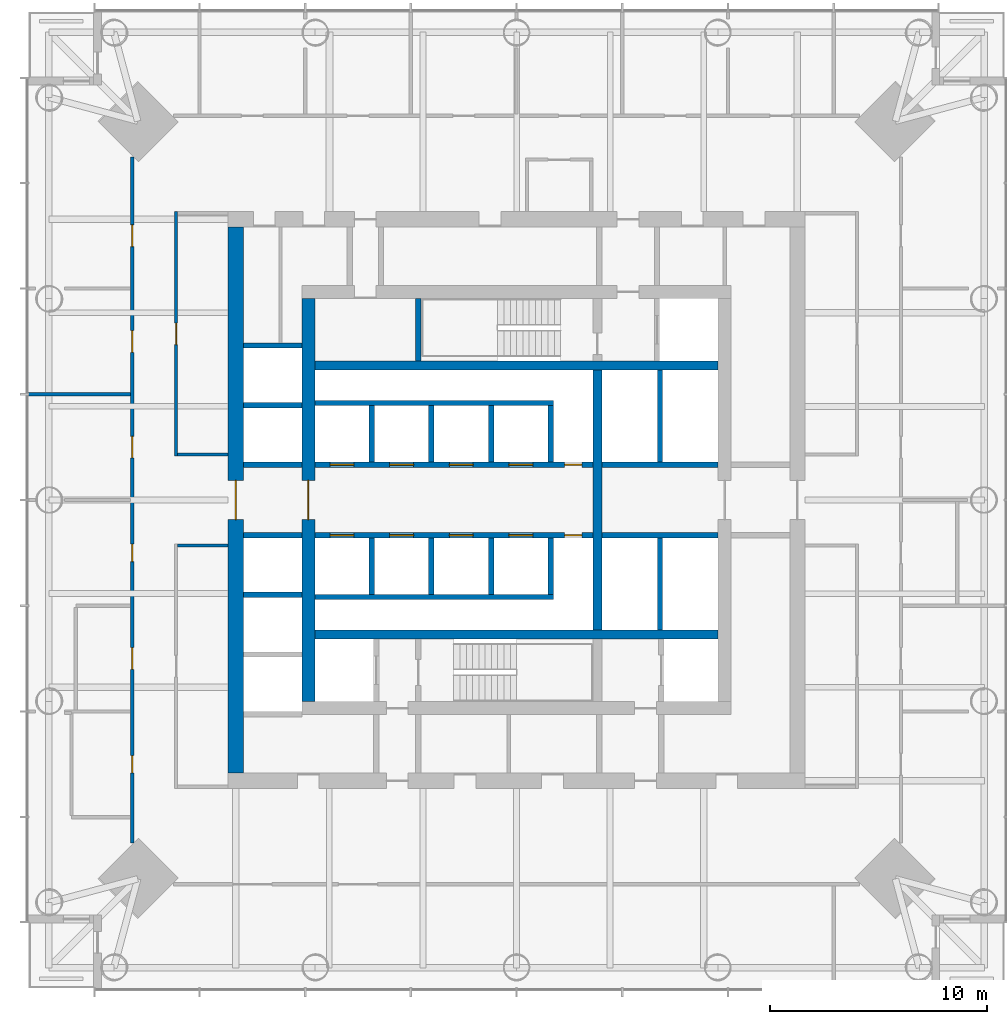
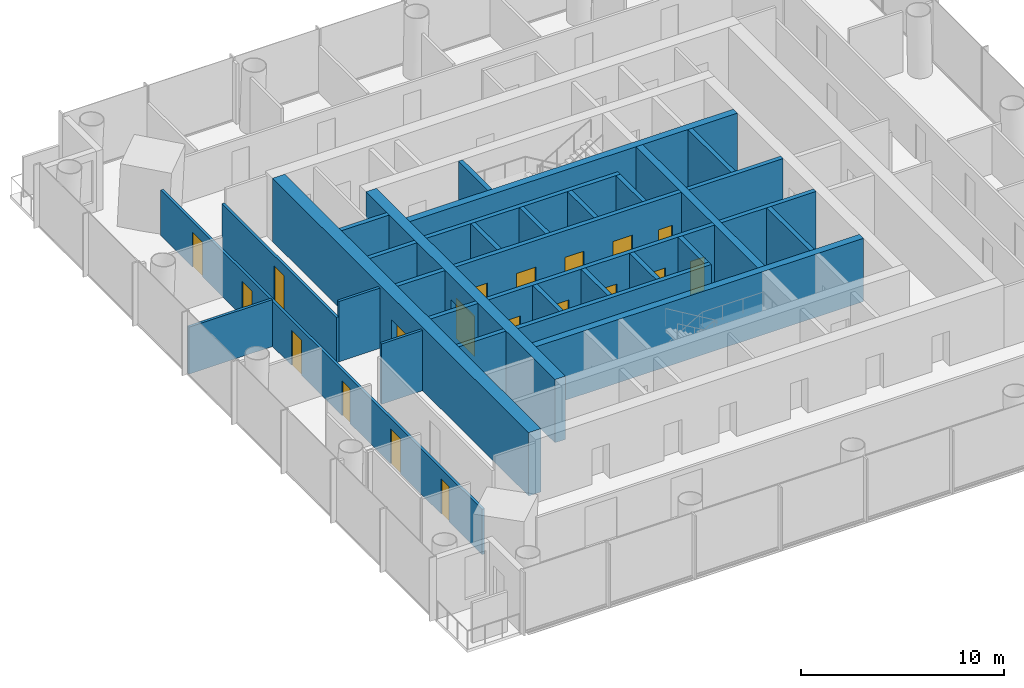
# One storey, part 9 of 18: 32 walls, 19 doors, 19 openings.
"""IFC4 building model written with IfcOpenShell, lengths in metres."""

from ifc_helpers import new_model, si_unit, direction, frame, frame_2d, origin, place, context, subcontext, project, spatial, rectangle, extrude, material, layer, layer_set, type_object, element, fill, save


model = new_model("IFC4")

# Units and contexts
model_context = context("Model", 3, precision=1e-05, world=origin(), true_north=direction((0.0, 1.0)))
body_context = subcontext(model_context, "Body", "Model", "MODEL_VIEW")
ifc_project = project(units=[si_unit("LENGTHUNIT", "METRE"), si_unit("AREAUNIT", "SQUARE_METRE"), si_unit("VOLUMEUNIT", "CUBIC_METRE"), si_unit("PLANEANGLEUNIT", "RADIAN"), si_unit("MASSUNIT", "GRAM", prefix="KILO")], contexts=[model_context])

# Site, building, storey
site_placement = place(None, origin())
site = spatial("IfcSite", under=ifc_project, at=site_placement, CompositionType="ELEMENT")
building_placement = place(site_placement, origin())
building = spatial("IfcBuilding", under=site, at=building_placement, Name="Ostroluk Exchange", CompositionType="ELEMENT")
storey_placement = place(building_placement, frame((0.0, 0.0, 97.0)))
storey = spatial("IfcBuildingStorey", under=building, at=storey_placement, Name="L24", CompositionType="ELEMENT", Elevation=97.0)

# Walls
ifc_material_1 = material(Name="Concrete C50/60", Category="concrete")
ifc_layer_1 = layer(ifc_material_1, 0.39990234375)
ifc_layer_set_1 = layer_set([ifc_layer_1], Name="Core cross wall 400 C50/60")
wall_type_1 = type_object("IfcWallType", Name="Core cross wall 400 C50/60", PredefinedType="SHEAR", material=ifc_layer_set_1)
for number, where, z_axis, x_axis, name in (
    (1, (35.699951171875, 39.800048828125, 0.0), (0.0, 0.0, 1.0), (1.0, 0.0, 0.0), "T1 core wall XS"),
    (2, (35.699951171875, 52.199951171875, 0.0), (0.0, 0.0, 1.0), (1.0, 0.0, 0.0), "T1 core wall XN"),
):
    element("IfcWall", number, at=place(storey_placement, frame(where, z_axis=z_axis, x_axis=x_axis)), inside=storey, type_object=wall_type_1, Name=name, PredefinedType="SHEAR", context=body_context, shape_type="SweptSolid", body=[
        extrude(rectangle(XDim=18.60009765625, YDim=0.39990234375, at=frame_2d((9.300048828125, 0.0))), origin(), (0.0, 0.0, 1.0), 3.800048828125),
    ])
wall_1_placement = place(storey_placement, frame((48.72998046875, 40.0, 0.0), z_axis=(0.0, 0.0, 1.0), x_axis=(0.0, 1.0, 0.0)))
element("IfcWall", 3, at=wall_1_placement, inside=storey, type_object=wall_type_1, Name="T1 core wall YE2", PredefinedType="SHEAR", context=body_context, shape_type="SweptSolid", body=[
    extrude(rectangle(XDim=12.0, YDim=0.39990234375, at=frame_2d((6.0, 0.0))), origin(), (0.0, 0.0, 1.0), 3.800048828125),
])
ifc_material_2 = material(Name="Concrete C40/50", Category="concrete")
ifc_layer_2 = layer(ifc_material_2, 0.25)
ifc_layer_set_2 = layer_set([ifc_layer_2], Name="Core shaft wall 250")
wall_type_2 = type_object("IfcWallType", Name="Core shaft wall 250", PredefinedType="SHEAR", material=ifc_layer_set_2)
wall_2_placement = place(storey_placement, frame((40.47509765625, 52.39990234375, 0.0), z_axis=(0.0, 0.0, 1.0), x_axis=(0.0, 1.0, 0.0)))
element("IfcWall", 4, at=wall_2_placement, inside=storey, type_object=wall_type_2, Name="Stair shaft wall", PredefinedType="SHEAR", context=body_context, shape_type="SweptSolid", body=[
    extrude(rectangle(XDim=2.900146484375, YDim=0.25, at=frame_2d((1.4501953125, 0.0))), origin(), (0.0, 0.0, 1.0), 3.800048828125),
])
for number, where, z_axis, x_axis, name in (
    (5, (38.324951171875, 47.75, 0.0), (0.0, 0.0, 1.0), (0.0, 1.0, 0.0), "Lift shaft wall"),
    (6, (41.074951171875, 47.75, 0.0), (0.0, 0.0, 1.0), (0.0, 1.0, 0.0), "Lift shaft wall"),
    (7, (43.824951171875, 47.75, 0.0), (0.0, 0.0, 1.0), (0.0, 1.0, 0.0), "Lift shaft wall"),
    (8, (46.574951171875, 47.75, 0.0), (0.0, 0.0, 1.0), (0.0, 1.0, 0.0), "Lift shaft wall"),
):
    element("IfcWall", number, at=place(storey_placement, frame(where, z_axis=z_axis, x_axis=x_axis)), inside=storey, type_object=wall_type_2, Name=name, PredefinedType="SHEAR", context=body_context, shape_type="SweptSolid", body=[
        extrude(rectangle(XDim=2.60009765625, YDim=0.25, at=frame_2d((1.300048828125, 0.0))), origin(), (0.0, 0.0, 1.0), 3.800048828125),
    ])
wall_3_placement = place(storey_placement, frame((35.699951171875, 50.47509765625, 0.0), z_axis=(0.0, 0.0, 1.0), x_axis=(1.0, 0.0, 0.0)))
element("IfcWall", 9, at=wall_3_placement, inside=storey, type_object=wall_type_2, Name="Lift shaft wall", PredefinedType="SHEAR", context=body_context, shape_type="SweptSolid", body=[
    extrude(rectangle(XDim=11.0, YDim=0.25, at=frame_2d((5.5, 0.0))), origin(), (0.0, 0.0, 1.0), 3.800048828125),
])

# Wall, openings, doors
wall_4_placement = place(storey_placement, frame((35.699951171875, 47.625, 0.0), z_axis=(0.0, 0.0, 1.0), x_axis=(1.0, 0.0, 0.0)))
wall_4 = element("IfcWall", 10, at=wall_4_placement, inside=storey, type_object=wall_type_2, Name="Lift shaft front wall", PredefinedType="SHEAR", context=body_context, shape_type="SweptSolid", body=[
    extrude(rectangle(XDim=12.830078125, YDim=0.25, at=frame_2d((6.4150390625, 0.0))), origin(), (0.0, 0.0, 1.0), 3.800048828125),
])
opening_1_placement = place(wall_4_placement, frame((0.699951171875, 0.0, 0.0)))
opening_1 = element("IfcOpeningElement", 11, at=opening_1_placement, cuts=wall_4, Name="Opening LD", PredefinedType="OPENING", context=body_context, shape_type="SweptSolid", body=[
    extrude(rectangle(XDim=1.10009765625, YDim=2.199951171875, at=frame_2d((0.550048828125, 1.10009765625))), frame((0.0, 0.135009765625, 0.0), z_axis=(0.0, -1.0, 0.0), x_axis=(1.0, 0.0, 0.0)), (0.0, 0.0, 1.0), 0.27001953125),
])
opening_2_placement = place(wall_4_placement, frame((3.449951171875, 0.0, 0.0)))
opening_2 = element("IfcOpeningElement", 12, at=opening_2_placement, cuts=wall_4, Name="Opening LD", PredefinedType="OPENING", context=body_context, shape_type="SweptSolid", body=[
    extrude(rectangle(XDim=1.10009765625, YDim=2.199951171875, at=frame_2d((0.550048828125, 1.10009765625))), frame((0.0, 0.135009765625, 0.0), z_axis=(0.0, -1.0, 0.0), x_axis=(1.0, 0.0, 0.0)), (0.0, 0.0, 1.0), 0.27001953125),
])
opening_3_placement = place(wall_4_placement, frame((6.199951171875, 0.0, 0.0)))
opening_3 = element("IfcOpeningElement", 13, at=opening_3_placement, cuts=wall_4, Name="Opening LD", PredefinedType="OPENING", context=body_context, shape_type="SweptSolid", body=[
    extrude(rectangle(XDim=1.10009765625, YDim=2.199951171875, at=frame_2d((0.550048828125, 1.10009765625))), frame((0.0, 0.135009765625, 0.0), z_axis=(0.0, -1.0, 0.0), x_axis=(1.0, 0.0, 0.0)), (0.0, 0.0, 1.0), 0.27001953125),
])
opening_4_placement = place(wall_4_placement, frame((8.949951171875, 0.0, 0.0)))
opening_4 = element("IfcOpeningElement", 14, at=opening_4_placement, cuts=wall_4, Name="Opening LD", PredefinedType="OPENING", context=body_context, shape_type="SweptSolid", body=[
    extrude(rectangle(XDim=1.10009765625, YDim=2.199951171875, at=frame_2d((0.550048828125, 1.10009765625))), frame((0.0, 0.135009765625, 0.0), z_axis=(0.0, -1.0, 0.0), x_axis=(1.0, 0.0, 0.0)), (0.0, 0.0, 1.0), 0.27001953125),
])
opening_5_placement = place(wall_4_placement, frame((11.514892578125, 0.0, 0.0)))
opening_5 = element("IfcOpeningElement", 15, at=opening_5_placement, cuts=wall_4, Name="Opening RD60", PredefinedType="OPENING", context=body_context, shape_type="SweptSolid", body=[
    extrude(rectangle(XDim=0.800048828125, YDim=2.0, at=frame_2d((0.39990234375, 1.0))), frame((0.0, 0.135009765625, 0.0), z_axis=(0.0, -1.0, 0.0), x_axis=(1.0, 0.0, 0.0)), (0.0, 0.0, 1.0), 0.27001953125),
])
ifc_material_3 = material(Name="Stainless steel", Category="steel")
door_type_1 = type_object("IfcDoorType", Name="Lift landing door E 60 1100 x 2200", OperationType="DOUBLE_DOOR_SLIDING", PredefinedType="DOOR", material=ifc_material_3)
door_1_placement = place(opening_1_placement, origin())
door_1 = element("IfcDoor", 16, at=door_1_placement, inside=storey, type_object=door_type_1, Name="Lift PL-M1 landing door", OperationType="DOUBLE_DOOR_SLIDING", OverallHeight=2.199951171875, OverallWidth=1.10009765625, PredefinedType="DOOR", context=body_context, shape_type="SweptSolid", body=[
    extrude(rectangle(XDim=1.10009765625, YDim=2.199951171875, at=frame_2d((0.550048828125, 1.10009765625))), frame((0.0, 0.02490234375, 0.0), z_axis=(0.0, -1.0, 0.0), x_axis=(1.0, 0.0, 0.0)), (0.0, 0.0, 1.0), 0.050048828125),
])
fill(opening_1, door_1)
door_2_placement = place(opening_2_placement, origin())
door_2 = element("IfcDoor", 17, at=door_2_placement, inside=storey, type_object=door_type_1, Name="Lift PL-M2 landing door", OperationType="DOUBLE_DOOR_SLIDING", OverallHeight=2.199951171875, OverallWidth=1.10009765625, PredefinedType="DOOR", context=body_context, shape_type="SweptSolid", body=[
    extrude(rectangle(XDim=1.10009765625, YDim=2.199951171875, at=frame_2d((0.550048828125, 1.10009765625))), frame((0.0, 0.02490234375, 0.0), z_axis=(0.0, -1.0, 0.0), x_axis=(1.0, 0.0, 0.0)), (0.0, 0.0, 1.0), 0.050048828125),
])
fill(opening_2, door_2)
door_3_placement = place(opening_3_placement, origin())
door_3 = element("IfcDoor", 18, at=door_3_placement, inside=storey, type_object=door_type_1, Name="Lift PL-M3 landing door", OperationType="DOUBLE_DOOR_SLIDING", OverallHeight=2.199951171875, OverallWidth=1.10009765625, PredefinedType="DOOR", context=body_context, shape_type="SweptSolid", body=[
    extrude(rectangle(XDim=1.10009765625, YDim=2.199951171875, at=frame_2d((0.550048828125, 1.10009765625))), frame((0.0, 0.02490234375, 0.0), z_axis=(0.0, -1.0, 0.0), x_axis=(1.0, 0.0, 0.0)), (0.0, 0.0, 1.0), 0.050048828125),
])
fill(opening_3, door_3)
door_4_placement = place(opening_4_placement, origin())
door_4 = element("IfcDoor", 19, at=door_4_placement, inside=storey, type_object=door_type_1, Name="Lift PL-M4 landing door", OperationType="DOUBLE_DOOR_SLIDING", OverallHeight=2.199951171875, OverallWidth=1.10009765625, PredefinedType="DOOR", context=body_context, shape_type="SweptSolid", body=[
    extrude(rectangle(XDim=1.10009765625, YDim=2.199951171875, at=frame_2d((0.550048828125, 1.10009765625))), frame((0.0, 0.02490234375, 0.0), z_axis=(0.0, -1.0, 0.0), x_axis=(1.0, 0.0, 0.0)), (0.0, 0.0, 1.0), 0.050048828125),
])
fill(opening_4, door_4)
ifc_material_4 = material(Name="Steel", Category="steel")
door_type_2 = type_object("IfcDoorType", Name="Riser access door EI 60 800 x 2000", OperationType="SINGLE_SWING_LEFT", PredefinedType="DOOR", material=ifc_material_4)
door_5_placement = place(opening_5_placement, origin())
door_5 = element("IfcDoor", 20, at=door_5_placement, inside=storey, type_object=door_type_2, Name="Riser access door", OperationType="SINGLE_SWING_RIGHT", OverallHeight=2.0, OverallWidth=0.800048828125, PredefinedType="DOOR", context=body_context, shape_type="SweptSolid", body=[
    extrude(rectangle(XDim=0.800048828125, YDim=2.0, at=frame_2d((0.39990234375, 1.0))), frame((0.0, 0.02490234375, 0.0), z_axis=(0.0, -1.0, 0.0), x_axis=(1.0, 0.0, 0.0)), (0.0, 0.0, 1.0), 0.050048828125),
])
fill(opening_5, door_5)

# Walls
for number, where, z_axis, x_axis, name in (
    (21, (38.324951171875, 44.25, 0.0), (0.0, 0.0, 1.0), (0.0, -1.0, 0.0), "Lift shaft wall"),
    (22, (41.074951171875, 44.25, 0.0), (0.0, 0.0, 1.0), (0.0, -1.0, 0.0), "Lift shaft wall"),
    (23, (43.824951171875, 44.25, 0.0), (0.0, 0.0, 1.0), (0.0, -1.0, 0.0), "Lift shaft wall"),
    (24, (46.574951171875, 44.25, 0.0), (0.0, 0.0, 1.0), (0.0, -1.0, 0.0), "Lift shaft wall"),
):
    element("IfcWall", number, at=place(storey_placement, frame(where, z_axis=z_axis, x_axis=x_axis)), inside=storey, type_object=wall_type_2, Name=name, PredefinedType="SHEAR", context=body_context, shape_type="SweptSolid", body=[
        extrude(rectangle(XDim=2.60009765625, YDim=0.25, at=frame_2d((1.300048828125, 0.0))), origin(), (0.0, 0.0, 1.0), 3.800048828125),
    ])
wall_5_placement = place(storey_placement, frame((35.699951171875, 41.52490234375, 0.0), z_axis=(0.0, 0.0, 1.0), x_axis=(1.0, 0.0, 0.0)))
element("IfcWall", 25, at=wall_5_placement, inside=storey, type_object=wall_type_2, Name="Lift shaft wall", PredefinedType="SHEAR", context=body_context, shape_type="SweptSolid", body=[
    extrude(rectangle(XDim=11.0, YDim=0.25, at=frame_2d((5.5, 0.0))), origin(), (0.0, 0.0, 1.0), 3.800048828125),
])

# Wall, openings, doors
wall_6_placement = place(storey_placement, frame((35.699951171875, 44.375, 0.0), z_axis=(0.0, 0.0, 1.0), x_axis=(1.0, 0.0, 0.0)))
wall_6 = element("IfcWall", 26, at=wall_6_placement, inside=storey, type_object=wall_type_2, Name="Lift shaft front wall", PredefinedType="SHEAR", context=body_context, shape_type="SweptSolid", body=[
    extrude(rectangle(XDim=12.830078125, YDim=0.25, at=frame_2d((6.4150390625, 0.0))), origin(), (0.0, 0.0, 1.0), 3.800048828125),
])
opening_6_placement = place(wall_6_placement, frame((0.699951171875, 0.0, 0.0)))
opening_6 = element("IfcOpeningElement", 27, at=opening_6_placement, cuts=wall_6, Name="Opening LD", PredefinedType="OPENING", context=body_context, shape_type="SweptSolid", body=[
    extrude(rectangle(XDim=1.10009765625, YDim=2.199951171875, at=frame_2d((0.550048828125, 1.10009765625))), frame((0.0, 0.135009765625, 0.0), z_axis=(0.0, -1.0, 0.0), x_axis=(1.0, 0.0, 0.0)), (0.0, 0.0, 1.0), 0.27001953125),
])
opening_7_placement = place(wall_6_placement, frame((3.449951171875, 0.0, 0.0)))
opening_7 = element("IfcOpeningElement", 28, at=opening_7_placement, cuts=wall_6, Name="Opening LD", PredefinedType="OPENING", context=body_context, shape_type="SweptSolid", body=[
    extrude(rectangle(XDim=1.10009765625, YDim=2.199951171875, at=frame_2d((0.550048828125, 1.10009765625))), frame((0.0, 0.135009765625, 0.0), z_axis=(0.0, -1.0, 0.0), x_axis=(1.0, 0.0, 0.0)), (0.0, 0.0, 1.0), 0.27001953125),
])
opening_8_placement = place(wall_6_placement, frame((6.199951171875, 0.0, 0.0)))
opening_8 = element("IfcOpeningElement", 29, at=opening_8_placement, cuts=wall_6, Name="Opening LD", PredefinedType="OPENING", context=body_context, shape_type="SweptSolid", body=[
    extrude(rectangle(XDim=1.10009765625, YDim=2.199951171875, at=frame_2d((0.550048828125, 1.10009765625))), frame((0.0, 0.135009765625, 0.0), z_axis=(0.0, -1.0, 0.0), x_axis=(1.0, 0.0, 0.0)), (0.0, 0.0, 1.0), 0.27001953125),
])
opening_9_placement = place(wall_6_placement, frame((8.949951171875, 0.0, 0.0)))
opening_9 = element("IfcOpeningElement", 30, at=opening_9_placement, cuts=wall_6, Name="Opening LD", PredefinedType="OPENING", context=body_context, shape_type="SweptSolid", body=[
    extrude(rectangle(XDim=1.10009765625, YDim=2.199951171875, at=frame_2d((0.550048828125, 1.10009765625))), frame((0.0, 0.135009765625, 0.0), z_axis=(0.0, -1.0, 0.0), x_axis=(1.0, 0.0, 0.0)), (0.0, 0.0, 1.0), 0.27001953125),
])
opening_10_placement = place(wall_6_placement, frame((11.514892578125, 0.0, 0.0)))
opening_10 = element("IfcOpeningElement", 31, at=opening_10_placement, cuts=wall_6, Name="Opening RD60", PredefinedType="OPENING", context=body_context, shape_type="SweptSolid", body=[
    extrude(rectangle(XDim=0.800048828125, YDim=2.0, at=frame_2d((0.39990234375, 1.0))), frame((0.0, 0.135009765625, 0.0), z_axis=(0.0, -1.0, 0.0), x_axis=(1.0, 0.0, 0.0)), (0.0, 0.0, 1.0), 0.27001953125),
])
door_6_placement = place(opening_6_placement, origin())
door_6 = element("IfcDoor", 32, at=door_6_placement, inside=storey, type_object=door_type_1, Name="Lift PL-M5 landing door", OperationType="DOUBLE_DOOR_SLIDING", OverallHeight=2.199951171875, OverallWidth=1.10009765625, PredefinedType="DOOR", context=body_context, shape_type="SweptSolid", body=[
    extrude(rectangle(XDim=1.10009765625, YDim=2.199951171875, at=frame_2d((0.550048828125, 1.10009765625))), frame((0.0, 0.02490234375, 0.0), z_axis=(0.0, -1.0, 0.0), x_axis=(1.0, 0.0, 0.0)), (0.0, 0.0, 1.0), 0.050048828125),
])
fill(opening_6, door_6)
door_7_placement = place(opening_7_placement, origin())
door_7 = element("IfcDoor", 33, at=door_7_placement, inside=storey, type_object=door_type_1, Name="Lift PL-M6 landing door", OperationType="DOUBLE_DOOR_SLIDING", OverallHeight=2.199951171875, OverallWidth=1.10009765625, PredefinedType="DOOR", context=body_context, shape_type="SweptSolid", body=[
    extrude(rectangle(XDim=1.10009765625, YDim=2.199951171875, at=frame_2d((0.550048828125, 1.10009765625))), frame((0.0, 0.02490234375, 0.0), z_axis=(0.0, -1.0, 0.0), x_axis=(1.0, 0.0, 0.0)), (0.0, 0.0, 1.0), 0.050048828125),
])
fill(opening_7, door_7)
door_8_placement = place(opening_8_placement, origin())
door_8 = element("IfcDoor", 34, at=door_8_placement, inside=storey, type_object=door_type_1, Name="Lift PL-M7 landing door", OperationType="DOUBLE_DOOR_SLIDING", OverallHeight=2.199951171875, OverallWidth=1.10009765625, PredefinedType="DOOR", context=body_context, shape_type="SweptSolid", body=[
    extrude(rectangle(XDim=1.10009765625, YDim=2.199951171875, at=frame_2d((0.550048828125, 1.10009765625))), frame((0.0, 0.02490234375, 0.0), z_axis=(0.0, -1.0, 0.0), x_axis=(1.0, 0.0, 0.0)), (0.0, 0.0, 1.0), 0.050048828125),
])
fill(opening_8, door_8)
door_9_placement = place(opening_9_placement, origin())
door_9 = element("IfcDoor", 35, at=door_9_placement, inside=storey, type_object=door_type_1, Name="Lift PL-M8 landing door", OperationType="DOUBLE_DOOR_SLIDING", OverallHeight=2.199951171875, OverallWidth=1.10009765625, PredefinedType="DOOR", context=body_context, shape_type="SweptSolid", body=[
    extrude(rectangle(XDim=1.10009765625, YDim=2.199951171875, at=frame_2d((0.550048828125, 1.10009765625))), frame((0.0, 0.02490234375, 0.0), z_axis=(0.0, -1.0, 0.0), x_axis=(1.0, 0.0, 0.0)), (0.0, 0.0, 1.0), 0.050048828125),
])
fill(opening_9, door_9)
door_10_placement = place(opening_10_placement, origin())
door_10 = element("IfcDoor", 36, at=door_10_placement, inside=storey, type_object=door_type_2, Name="Riser access door", OperationType="SINGLE_SWING_RIGHT", OverallHeight=2.0, OverallWidth=0.800048828125, PredefinedType="DOOR", context=body_context, shape_type="SweptSolid", body=[
    extrude(rectangle(XDim=0.800048828125, YDim=2.0, at=frame_2d((0.39990234375, 1.0))), frame((0.0, 0.02490234375, 0.0), z_axis=(0.0, -1.0, 0.0), x_axis=(1.0, 0.0, 0.0)), (0.0, 0.0, 1.0), 0.050048828125),
])
fill(opening_10, door_10)

# Walls
wall_7_placement = place(storey_placement, frame((51.614990234375, 47.75, 0.0), z_axis=(0.0, 0.0, 1.0), x_axis=(0.0, 1.0, 0.0)))
element("IfcWall", 37, at=wall_7_placement, inside=storey, type_object=wall_type_2, Name="Lift shaft wall", PredefinedType="SHEAR", context=body_context, shape_type="SweptSolid", body=[
    extrude(rectangle(XDim=4.25, YDim=0.25, at=frame_2d((2.125, 0.0))), origin(), (0.0, 0.0, 1.0), 3.800048828125),
])
wall_8_placement = place(storey_placement, frame((48.929931640625, 47.625, 0.0), z_axis=(0.0, 0.0, 1.0), x_axis=(1.0, 0.0, 0.0)))
element("IfcWall", 38, at=wall_8_placement, inside=storey, type_object=wall_type_2, Name="Lift shaft front wall", PredefinedType="SHEAR", context=body_context, shape_type="SweptSolid", body=[
    extrude(rectangle(XDim=5.3701171875, YDim=0.25, at=frame_2d((2.68505859375, 0.0))), origin(), (0.0, 0.0, 1.0), 3.800048828125),
])
wall_9_placement = place(storey_placement, frame((51.614990234375, 44.25, 0.0), z_axis=(0.0, 0.0, 1.0), x_axis=(0.0, -1.0, 0.0)))
element("IfcWall", 39, at=wall_9_placement, inside=storey, type_object=wall_type_2, Name="Lift shaft wall", PredefinedType="SHEAR", context=body_context, shape_type="SweptSolid", body=[
    extrude(rectangle(XDim=4.25, YDim=0.25, at=frame_2d((2.125, 0.0))), origin(), (0.0, 0.0, 1.0), 3.800048828125),
])
wall_10_placement = place(storey_placement, frame((48.929931640625, 44.375, 0.0), z_axis=(0.0, 0.0, 1.0), x_axis=(1.0, 0.0, 0.0)))
element("IfcWall", 40, at=wall_10_placement, inside=storey, type_object=wall_type_2, Name="Lift shaft front wall", PredefinedType="SHEAR", context=body_context, shape_type="SweptSolid", body=[
    extrude(rectangle(XDim=5.3701171875, YDim=0.25, at=frame_2d((2.68505859375, 0.0))), origin(), (0.0, 0.0, 1.0), 3.800048828125),
])
for number, where, z_axis, x_axis, name in (
    (41, (32.39990234375, 41.625, 0.0), (0.0, 0.0, 1.0), (1.0, 0.0, 0.0), "Lift shaft wall"),
    (42, (32.39990234375, 44.375, 0.0), (0.0, 0.0, 1.0), (1.0, 0.0, 0.0), "Lift shaft wall"),
    (43, (32.39990234375, 47.625, 0.0), (0.0, 0.0, 1.0), (1.0, 0.0, 0.0), "Lift shaft wall"),
    (44, (32.39990234375, 50.375, 0.0), (0.0, 0.0, 1.0), (1.0, 0.0, 0.0), "Lift shaft wall"),
    (45, (32.39990234375, 53.125, 0.0), (0.0, 0.0, 1.0), (1.0, 0.0, 0.0), "Lift shaft wall"),
):
    element("IfcWall", number, at=place(storey_placement, frame(where, z_axis=z_axis, x_axis=x_axis)), inside=storey, type_object=wall_type_2, Name=name, PredefinedType="SHEAR", context=body_context, shape_type="SweptSolid", body=[
        extrude(rectangle(XDim=2.7001953125, YDim=0.25, at=frame_2d((1.35009765625, 0.0))), origin(), (0.0, 0.0, 1.0), 3.800048828125),
    ])

# Wall, opening, door
ifc_material_5 = material(Name="Concrete C50/60", Category="concrete")
ifc_layer_3 = layer(ifc_material_5, 0.60009765625)
ifc_layer_set_3 = layer_set([ifc_layer_3], Name="Core wall 600 C50/60")
wall_type_3 = type_object("IfcWallType", Name="Core wall 600 C50/60", PredefinedType="SHEAR", material=ifc_layer_set_3)
wall_11_placement = place(storey_placement, frame((35.39990234375, 36.699951171875, 0.0), z_axis=(0.0, 0.0, 1.0), x_axis=(0.0, 1.0, 0.0)))
wall_11 = element("IfcWall", 46, at=wall_11_placement, inside=storey, type_object=wall_type_3, Name="T1 core wall W", PredefinedType="SHEAR", context=body_context, shape_type="SweptSolid", body=[
    extrude(rectangle(XDim=18.60009765625, YDim=0.60009765625, at=frame_2d((9.300048828125, 0.0))), origin(), (0.0, 0.0, 1.0), 3.800048828125),
])
opening_11_placement = place(wall_11_placement, frame((8.39990234375, 0.0, 0.0)))
opening_11 = element("IfcOpeningElement", 47, at=opening_11_placement, cuts=wall_11, Name="Opening FD30D", PredefinedType="OPENING", context=body_context, shape_type="SweptSolid", body=[
    extrude(rectangle(XDim=1.800048828125, YDim=2.39990234375, at=frame_2d((0.89990234375, 1.199951171875))), frame((0.0, 0.31005859375, 0.0), z_axis=(0.0, -1.0, 0.0), x_axis=(1.0, 0.0, 0.0)), (0.0, 0.0, 1.0), 0.6201171875),
])
ifc_material_6 = material(Name="Timber", Category="wood")
door_type_3 = type_object("IfcDoorType", Name="Lobby double door EI 30 1800 x 2400", OperationType="DOUBLE_DOOR_SINGLE_SWING", PredefinedType="DOOR", material=ifc_material_6)
door_11_placement = place(opening_11_placement, origin())
door_11 = element("IfcDoor", 48, at=door_11_placement, inside=storey, type_object=door_type_3, Name="Lift lobby doors", OperationType="DOUBLE_DOOR_SINGLE_SWING", OverallHeight=2.39990234375, OverallWidth=1.800048828125, PredefinedType="DOOR", context=body_context, shape_type="SweptSolid", body=[
    extrude(rectangle(XDim=1.800048828125, YDim=2.39990234375, at=frame_2d((0.89990234375, 1.199951171875))), frame((0.0, 0.02490234375, 0.0), z_axis=(0.0, -1.0, 0.0), x_axis=(1.0, 0.0, 0.0)), (0.0, 0.0, 1.0), 0.050048828125),
])
fill(opening_11, door_11)

ifc_material_7 = material(Name="Concrete C50/60", Category="concrete")
ifc_layer_4 = layer(ifc_material_7, 0.699951171875)
ifc_layer_set_4 = layer_set([ifc_layer_4], Name="Core wall 700 C50/60")
wall_type_4 = type_object("IfcWallType", Name="Core wall 700 C50/60", PredefinedType="SHEAR", material=ifc_layer_set_4)
wall_12_placement = place(storey_placement, frame((32.050048828125, 33.39990234375, 0.0), z_axis=(0.0, 0.0, 1.0), x_axis=(0.0, 1.0, 0.0)))
wall_12 = element("IfcWall", 49, at=wall_12_placement, inside=storey, type_object=wall_type_4, Name="T1 core wall RW", PredefinedType="SHEAR", context=body_context, shape_type="SweptSolid", body=[
    extrude(rectangle(XDim=25.2001953125, YDim=0.699951171875, at=frame_2d((12.60009765625, 0.0))), origin(), (0.0, 0.0, 1.0), 3.800048828125),
])
opening_12_placement = place(wall_12_placement, frame((11.699951171875, 0.0, 0.0)))
opening_12 = element("IfcOpeningElement", 50, at=opening_12_placement, cuts=wall_12, Name="Opening FD30D", PredefinedType="OPENING", context=body_context, shape_type="SweptSolid", body=[
    extrude(rectangle(XDim=1.800048828125, YDim=2.39990234375, at=frame_2d((0.89990234375, 1.199951171875))), frame((0.0, 0.35986328125, 0.0), z_axis=(0.0, -1.0, 0.0), x_axis=(1.0, 0.0, 0.0)), (0.0, 0.0, 1.0), 0.719970703125),
])
door_12_placement = place(opening_12_placement, origin())
door_12 = element("IfcDoor", 51, at=door_12_placement, inside=storey, type_object=door_type_3, Name="Lift lobby doors", OperationType="DOUBLE_DOOR_SINGLE_SWING", OverallHeight=2.39990234375, OverallWidth=1.800048828125, PredefinedType="DOOR", context=body_context, shape_type="SweptSolid", body=[
    extrude(rectangle(XDim=1.800048828125, YDim=2.39990234375, at=frame_2d((0.89990234375, 1.199951171875))), frame((0.0, 0.02490234375, 0.0), z_axis=(0.0, -1.0, 0.0), x_axis=(1.0, 0.0, 0.0)), (0.0, 0.0, 1.0), 0.050048828125),
])
fill(opening_12, door_12)

ifc_material_8 = material(Name="Gypsum plasterboard partition", Category="gypsum")
ifc_layer_5 = layer(ifc_material_8, 0.14990234375)
ifc_layer_set_5 = layer_set([ifc_layer_5], Name="Plasterboard partition 150")
wall_type_5 = type_object("IfcWallType", Name="Plasterboard partition 150", PredefinedType="PARTITIONING", material=ifc_layer_set_5)
wall_13_placement = place(storey_placement, frame((29.300048828125, 59.300048828125, 0.0), z_axis=(0.0, 0.0, 1.0), x_axis=(0.0, -1.0, 0.0)))
wall_13 = element("IfcWall", 52, at=wall_13_placement, inside=storey, type_object=wall_type_5, Name="Partition", PredefinedType="PARTITIONING", context=body_context, shape_type="SweptSolid", body=[
    extrude(rectangle(XDim=11.275146484375, YDim=0.14990234375, at=frame_2d((5.6376953125, 0.0))), origin(), (0.0, 0.0, 1.0), 2.719970703125),
])
opening_13_placement = place(wall_13_placement, frame((5.137451171875, 0.0, 0.0)))
opening_13 = element("IfcOpeningElement", 53, at=opening_13_placement, cuts=wall_13, Name="Opening D-03", PredefinedType="OPENING", context=body_context, shape_type="SweptSolid", body=[
    extrude(rectangle(XDim=1.0, YDim=2.10009765625, at=frame_2d((0.5, 1.050048828125))), frame((0.0, 0.0849609375, 0.0), z_axis=(0.0, -1.0, 0.0), x_axis=(1.0, 0.0, 0.0)), (0.0, 0.0, 1.0), 0.169921875),
])
ifc_material_9 = material(Name="Timber", Category="wood")
door_type_4 = type_object("IfcDoorType", Name="Internal door 1000 x 2100", OperationType="SINGLE_SWING_LEFT", PredefinedType="DOOR", material=ifc_material_9)
door_13_placement = place(opening_13_placement, origin())
door_13 = element("IfcDoor", 54, at=door_13_placement, inside=storey, type_object=door_type_4, Name="Interview room door", OperationType="SINGLE_SWING_RIGHT", OverallHeight=2.10009765625, OverallWidth=1.0, PredefinedType="DOOR", context=body_context, shape_type="SweptSolid", body=[
    extrude(rectangle(XDim=1.0, YDim=2.10009765625, at=frame_2d((0.5, 1.050048828125))), frame((0.0, 0.02490234375, 0.0), z_axis=(0.0, -1.0, 0.0), x_axis=(1.0, 0.0, 0.0)), (0.0, 0.0, 1.0), 0.050048828125),
])
fill(opening_13, door_13)

# Walls
for number, where, z_axis, x_axis, name in (
    (55, (31.699951171875, 48.10009765625, 0.0), (0.0, 0.0, 1.0), (-1.0, 0.0, 0.0), "Partition"),
    (56, (31.699951171875, 43.89990234375, 0.0), (0.0, 0.0, 1.0), (-1.0, 0.0, 0.0), "Partition"),
):
    element("IfcWall", number, at=place(storey_placement, frame(where, z_axis=z_axis, x_axis=x_axis)), inside=storey, type_object=wall_type_5, Name=name, PredefinedType="PARTITIONING", context=body_context, shape_type="SweptSolid", body=[
        extrude(rectangle(XDim=2.324951171875, YDim=0.14990234375, at=frame_2d((1.16259765625, 0.0))), origin(), (0.0, 0.0, 1.0), 3.6201171875),
    ])

# Wall, openings, doors
wall_14_placement = place(storey_placement, frame((27.27490234375, 61.8115234375, 0.0), z_axis=(0.0, 0.0, 1.0), x_axis=(0.0, -1.0, 0.0)))
wall_14 = element("IfcWall", 57, at=wall_14_placement, inside=storey, type_object=wall_type_5, Name="Partition", PredefinedType="PARTITIONING", context=body_context, shape_type="SweptSolid", body=[
    extrude(rectangle(XDim=31.623046875, YDim=0.14990234375, at=frame_2d((15.8115234375, 0.0))), origin(), (0.0, 0.0, 1.0), 2.719970703125),
])
opening_14_placement = place(wall_14_placement, frame((3.1240234375, 0.0, 0.0)))
opening_14 = element("IfcOpeningElement", 58, at=opening_14_placement, cuts=wall_14, Name="Opening D-03", PredefinedType="OPENING", context=body_context, shape_type="SweptSolid", body=[
    extrude(rectangle(XDim=1.0, YDim=2.10009765625, at=frame_2d((0.5, 1.050048828125))), frame((0.0, 0.0849609375, 0.0), z_axis=(0.0, -1.0, 0.0), x_axis=(1.0, 0.0, 0.0)), (0.0, 0.0, 1.0), 0.169921875),
])
opening_15_placement = place(wall_14_placement, frame((7.9990234375, 0.0, 0.0)))
opening_15 = element("IfcOpeningElement", 59, at=opening_15_placement, cuts=wall_14, Name="Opening D-03", PredefinedType="OPENING", context=body_context, shape_type="SweptSolid", body=[
    extrude(rectangle(XDim=1.0, YDim=2.10009765625, at=frame_2d((0.5, 1.050048828125))), frame((0.0, 0.0849609375, 0.0), z_axis=(0.0, -1.0, 0.0), x_axis=(1.0, 0.0, 0.0)), (0.0, 0.0, 1.0), 0.169921875),
])
opening_16_placement = place(wall_14_placement, frame((12.8740234375, 0.0, 0.0)))
opening_16 = element("IfcOpeningElement", 60, at=opening_16_placement, cuts=wall_14, Name="Opening D-03", PredefinedType="OPENING", context=body_context, shape_type="SweptSolid", body=[
    extrude(rectangle(XDim=1.0, YDim=2.10009765625, at=frame_2d((0.5, 1.050048828125))), frame((0.0, 0.0849609375, 0.0), z_axis=(0.0, -1.0, 0.0), x_axis=(1.0, 0.0, 0.0)), (0.0, 0.0, 1.0), 0.169921875),
])
opening_17_placement = place(wall_14_placement, frame((17.84912109375, 0.0, 0.0)))
opening_17 = element("IfcOpeningElement", 61, at=opening_17_placement, cuts=wall_14, Name="Opening D-06", PredefinedType="OPENING", context=body_context, shape_type="SweptSolid", body=[
    extrude(rectangle(XDim=0.800048828125, YDim=2.10009765625, at=frame_2d((0.39990234375, 1.050048828125))), frame((0.0, 0.0849609375, 0.0), z_axis=(0.0, -1.0, 0.0), x_axis=(1.0, 0.0, 0.0)), (0.0, 0.0, 1.0), 0.169921875),
])
opening_18_placement = place(wall_14_placement, frame((22.6240234375, 0.0, 0.0)))
opening_18 = element("IfcOpeningElement", 62, at=opening_18_placement, cuts=wall_14, Name="Opening D-03", PredefinedType="OPENING", context=body_context, shape_type="SweptSolid", body=[
    extrude(rectangle(XDim=1.0, YDim=2.10009765625, at=frame_2d((0.5, 1.050048828125))), frame((0.0, 0.0849609375, 0.0), z_axis=(0.0, -1.0, 0.0), x_axis=(1.0, 0.0, 0.0)), (0.0, 0.0, 1.0), 0.169921875),
])
opening_19_placement = place(wall_14_placement, frame((27.59912109375, 0.0, 0.0)))
opening_19 = element("IfcOpeningElement", 63, at=opening_19_placement, cuts=wall_14, Name="Opening D-06", PredefinedType="OPENING", context=body_context, shape_type="SweptSolid", body=[
    extrude(rectangle(XDim=0.800048828125, YDim=2.10009765625, at=frame_2d((0.39990234375, 1.050048828125))), frame((0.0, 0.0849609375, 0.0), z_axis=(0.0, -1.0, 0.0), x_axis=(1.0, 0.0, 0.0)), (0.0, 0.0, 1.0), 0.169921875),
])
door_14_placement = place(opening_14_placement, origin())
door_14 = element("IfcDoor", 64, at=door_14_placement, inside=storey, type_object=door_type_4, Name="Office suite door", OperationType="SINGLE_SWING_LEFT", OverallHeight=2.10009765625, OverallWidth=1.0, PredefinedType="DOOR", context=body_context, shape_type="SweptSolid", body=[
    extrude(rectangle(XDim=1.0, YDim=2.10009765625, at=frame_2d((0.5, 1.050048828125))), frame((0.0, 0.02490234375, 0.0), z_axis=(0.0, -1.0, 0.0), x_axis=(1.0, 0.0, 0.0)), (0.0, 0.0, 1.0), 0.050048828125),
])
fill(opening_14, door_14)
door_15_placement = place(opening_15_placement, origin())
door_15 = element("IfcDoor", 65, at=door_15_placement, inside=storey, type_object=door_type_4, Name="Meeting room door", OperationType="SINGLE_SWING_LEFT", OverallHeight=2.10009765625, OverallWidth=1.0, PredefinedType="DOOR", context=body_context, shape_type="SweptSolid", body=[
    extrude(rectangle(XDim=1.0, YDim=2.10009765625, at=frame_2d((0.5, 1.050048828125))), frame((0.0, 0.02490234375, 0.0), z_axis=(0.0, -1.0, 0.0), x_axis=(1.0, 0.0, 0.0)), (0.0, 0.0, 1.0), 0.050048828125),
])
fill(opening_15, door_15)
door_16_placement = place(opening_16_placement, origin())
door_16 = element("IfcDoor", 66, at=door_16_placement, inside=storey, type_object=door_type_4, Name="Meeting room door", OperationType="SINGLE_SWING_LEFT", OverallHeight=2.10009765625, OverallWidth=1.0, PredefinedType="DOOR", context=body_context, shape_type="SweptSolid", body=[
    extrude(rectangle(XDim=1.0, YDim=2.10009765625, at=frame_2d((0.5, 1.050048828125))), frame((0.0, 0.02490234375, 0.0), z_axis=(0.0, -1.0, 0.0), x_axis=(1.0, 0.0, 0.0)), (0.0, 0.0, 1.0), 0.050048828125),
])
fill(opening_16, door_16)
door_17_placement = place(opening_18_placement, origin())
door_17 = element("IfcDoor", 67, at=door_17_placement, inside=storey, type_object=door_type_4, Name="Accessible WC door", OperationType="SINGLE_SWING_RIGHT", OverallHeight=2.10009765625, OverallWidth=1.0, PredefinedType="DOOR", context=body_context, shape_type="SweptSolid", body=[
    extrude(rectangle(XDim=1.0, YDim=2.10009765625, at=frame_2d((0.5, 1.050048828125))), frame((0.0, 0.02490234375, 0.0), z_axis=(0.0, -1.0, 0.0), x_axis=(1.0, 0.0, 0.0)), (0.0, 0.0, 1.0), 0.050048828125),
])
fill(opening_18, door_17)
ifc_material_10 = material(Name="Timber", Category="wood")
door_type_5 = type_object("IfcDoorType", Name="Toilet door 800 x 2100", OperationType="SINGLE_SWING_LEFT", PredefinedType="DOOR", material=ifc_material_10)
door_18_placement = place(opening_17_placement, origin())
door_18 = element("IfcDoor", 68, at=door_18_placement, inside=storey, type_object=door_type_5, Name="WC female door", OperationType="SINGLE_SWING_RIGHT", OverallHeight=2.10009765625, OverallWidth=0.800048828125, PredefinedType="DOOR", context=body_context, shape_type="SweptSolid", body=[
    extrude(rectangle(XDim=0.800048828125, YDim=2.10009765625, at=frame_2d((0.39990234375, 1.050048828125))), frame((0.0, 0.02490234375, 0.0), z_axis=(0.0, -1.0, 0.0), x_axis=(1.0, 0.0, 0.0)), (0.0, 0.0, 1.0), 0.050048828125),
])
fill(opening_17, door_18)
door_19_placement = place(opening_19_placement, origin())
door_19 = element("IfcDoor", 69, at=door_19_placement, inside=storey, type_object=door_type_5, Name="WC male door", OperationType="SINGLE_SWING_RIGHT", OverallHeight=2.10009765625, OverallWidth=0.800048828125, PredefinedType="DOOR", context=body_context, shape_type="SweptSolid", body=[
    extrude(rectangle(XDim=0.800048828125, YDim=2.10009765625, at=frame_2d((0.39990234375, 1.050048828125))), frame((0.0, 0.02490234375, 0.0), z_axis=(0.0, -1.0, 0.0), x_axis=(1.0, 0.0, 0.0)), (0.0, 0.0, 1.0), 0.050048828125),
])
fill(opening_19, door_19)

# Wall
wall_15_placement = place(storey_placement, frame((27.199951171875, 50.875, 0.0), z_axis=(0.0, 0.0, 1.0), x_axis=(-1.0, 0.0, 0.0)))
element("IfcWall", 70, at=wall_15_placement, inside=storey, type_object=wall_type_5, Name="Partition", PredefinedType="PARTITIONING", context=body_context, shape_type="SweptSolid", body=[
    extrude(rectangle(XDim=4.739990234375, YDim=0.14990234375, at=frame_2d((2.3701171875, 0.0))), origin(), (0.0, 0.0, 1.0), 2.820068359375),
])

save(model, "model.ifc")
